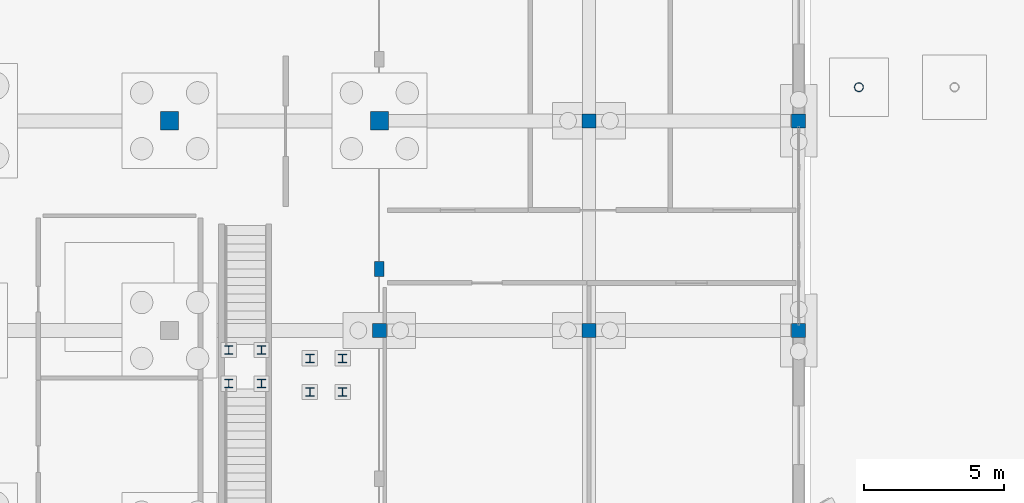
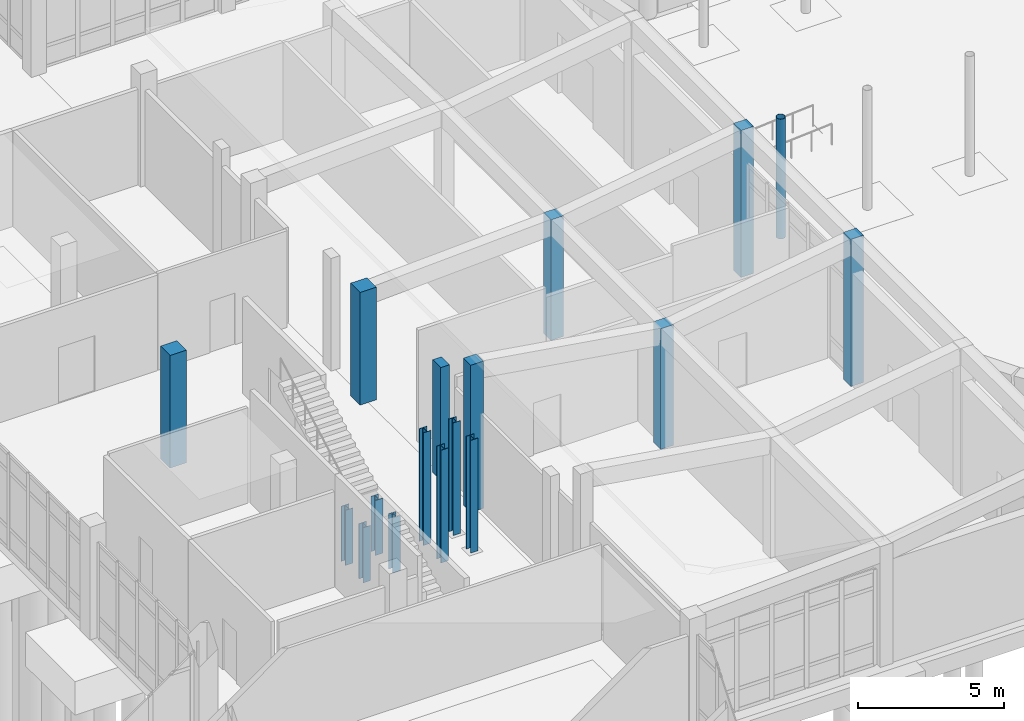
# One storey, part 8 of 173: 17 columns.
"""IFC4 building model written with IfcOpenShell, lengths in metres."""

from ifc_helpers import new_model, si_unit, direction, frame, origin, origin_2d, place, context, subcontext, project, spatial, rectangle, hollow_circle, i_section, extrude, material, material_profile, profile_set, type_object, element, save


model = new_model("IFC4")

# Units and contexts
model_context = context("Model", 3, precision=1e-05, world=origin(), true_north=direction((0.0, 1.0)))
body_context = subcontext(model_context, "Body", "Model", "MODEL_VIEW")
ifc_project = project(units=[si_unit("LENGTHUNIT", "METRE"), si_unit("AREAUNIT", "SQUARE_METRE"), si_unit("VOLUMEUNIT", "CUBIC_METRE"), si_unit("PLANEANGLEUNIT", "RADIAN"), si_unit("MASSUNIT", "GRAM", prefix="KILO")], contexts=[model_context])

# Site, building, storey
site_placement = place(None, origin())
site = spatial("IfcSite", under=ifc_project, at=site_placement, CompositionType="ELEMENT")
building_placement = place(site_placement, origin())
building = spatial("IfcBuilding", under=site, at=building_placement, Name="Mawjan Specialist Oncology Clinic", CompositionType="ELEMENT")
storey_placement = place(building_placement, origin())
storey = spatial("IfcBuildingStorey", under=building, at=storey_placement, Name="L00", CompositionType="ELEMENT", Elevation=0.0)

# Columns
ifc_material_1 = material(Name="Concrete C45/55", Category="concrete")
ifc_material_profile_1 = material_profile(ifc_material_1, rectangle(XDim=0.5, YDim=0.5, at=origin_2d()), Name="RC COL 500x500", Category="concrete")
ifc_profile_set_1 = profile_set([ifc_material_profile_1], Name="Concrete C45/55")
column_type_1 = type_object("IfcColumnType", Name="C-500", PredefinedType="COLUMN", material=ifc_profile_set_1)
column_1_placement = place(storey_placement, frame((45.0, 23.300048828125, 0.0), z_axis=(0.0, 0.0, 1.0), x_axis=(1.0, 0.0, 0.0)))
element("IfcColumn", 1, at=column_1_placement, inside=storey, type_object=column_type_1, Name="L00 Column G-7-D", PredefinedType="COLUMN", context=body_context, shape_type="SweptSolid", body=[
    extrude(rectangle(XDim=0.5, YDim=0.5, at=origin_2d()), origin(), (0.0, 0.0, 1.0), 6.1376953125),
])
for number, where, z_axis, x_axis, name in (
    (2, (52.5, 23.300048828125, 0.0), (0.0, 0.0, 1.0), (1.0, 0.0, 0.0), "L00 Column G-8-D"),
    (3, (52.5, 30.800048828125, 0.0), (0.0, 0.0, 1.0), (1.0, 0.0, 0.0), "L00 Column G-8-E"),
):
    element("IfcColumn", number, at=place(storey_placement, frame(where, z_axis=z_axis, x_axis=x_axis)), inside=storey, type_object=column_type_1, Name=name, PredefinedType="COLUMN", context=body_context, shape_type="SweptSolid", body=[
        extrude(rectangle(XDim=0.5, YDim=0.5, at=origin_2d()), origin(), (0.0, 0.0, 1.0), 5.035888671875),
    ])
for number, where, z_axis, x_axis, name in (
    (4, (60.0, 23.300048828125, 0.0), (0.0, 0.0, 1.0), (1.0, 0.0, 0.0), "L00 Column G-9-D"),
    (5, (60.0, 30.800048828125, 0.0), (0.0, 0.0, 1.0), (1.0, 0.0, 0.0), "L00 Column G-9-E"),
):
    element("IfcColumn", number, at=place(storey_placement, frame(where, z_axis=z_axis, x_axis=x_axis)), inside=storey, type_object=column_type_1, Name=name, PredefinedType="COLUMN", context=body_context, shape_type="SweptSolid", body=[
        extrude(rectangle(XDim=0.5, YDim=0.5, at=origin_2d()), origin(), (0.0, 0.0, 1.0), 6.1376953125),
    ])
ifc_material_2 = material(Name="Concrete C45/55", Category="concrete")
ifc_material_profile_2 = material_profile(ifc_material_2, rectangle(XDim=0.64990234375, YDim=0.64990234375, at=origin_2d()), Name="RC COL 650x650", Category="concrete")
ifc_profile_set_2 = profile_set([ifc_material_profile_2], Name="Concrete C45/55")
column_type_2 = type_object("IfcColumnType", Name="C-650", PredefinedType="COLUMN", material=ifc_profile_set_2)
for number, where, z_axis, x_axis, name in (
    (6, (37.5, 30.800048828125, 0.0), (0.0, 0.0, 1.0), (1.0, 0.0, 0.0), "L00 Column G-6-E"),
    (7, (45.0, 30.800048828125, 0.0), (0.0, 0.0, 1.0), (1.0, 0.0, 0.0), "L00 Column G-7-E"),
):
    element("IfcColumn", number, at=place(storey_placement, frame(where, z_axis=z_axis, x_axis=x_axis)), inside=storey, type_object=column_type_2, Name=name, PredefinedType="COLUMN", context=body_context, shape_type="SweptSolid", body=[
        extrude(rectangle(XDim=0.64990234375, YDim=0.64990234375, at=origin_2d()), origin(), (0.0, 0.0, 1.0), 4.699951171875),
    ])
ifc_material_3 = material(Name="Concrete C45/55", Category="concrete")
ifc_material_profile_3 = material_profile(ifc_material_3, rectangle(XDim=0.35009765625, YDim=0.550048828125, at=origin_2d()), Name="RC PIL 350x550", Category="concrete")
ifc_profile_set_3 = profile_set([ifc_material_profile_3], Name="Concrete C45/55")
column_type_3 = type_object("IfcColumnType", Name="PIL-350", PredefinedType="PILASTER", material=ifc_profile_set_3)
column_2_placement = place(storey_placement, frame((45.0, 25.5, 0.0), z_axis=(0.0, 0.0, 1.0), x_axis=(1.0, 0.0, 0.0)))
element("IfcColumn", 8, at=column_2_placement, inside=storey, type_object=column_type_3, Name="L00 Architectural Structural Pilaster 7", PredefinedType="PILASTER", context=body_context, shape_type="SweptSolid", body=[
    extrude(rectangle(XDim=0.35009765625, YDim=0.550048828125, at=origin_2d()), origin(), (0.0, 0.0, 1.0), 4.699951171875),
])
ifc_material_4 = material(Name="Structural steel S355", Category="steel")
ifc_material_profile_4 = material_profile(ifc_material_4, hollow_circle(Radius=0.161865234375, WallThickness=0.011962890625, at=origin_2d()), Name="CHS 323.9x12", Category="steel")
ifc_profile_set_4 = profile_set([ifc_material_profile_4], Name="Structural steel S355")
column_type_4 = type_object("IfcColumnType", Name="SC-CHS324", PredefinedType="COLUMN", material=ifc_profile_set_4)
column_3_placement = place(storey_placement, frame((62.152587890625, 32.0, 0.0), z_axis=(0.0, 0.0, 1.0), x_axis=(1.0, 0.0, 0.0)))
element("IfcColumn", 9, at=column_3_placement, inside=storey, type_object=column_type_4, Name="Courtyard Canopy Column 1 L00", PredefinedType="COLUMN", context=body_context, shape_type="SweptSolid", body=[
    extrude(hollow_circle(Radius=0.161865234375, WallThickness=0.011962890625, at=origin_2d()), origin(), (0.0, 0.0, 1.0), 5.0),
])
ifc_material_5 = material(Name="Structural steel S355", Category="steel")
ifc_material_profile_5 = material_profile(ifc_material_5, i_section(OverallWidth=0.300048828125, OverallDepth=0.300048828125, WebThickness=0.010986328125, FlangeThickness=0.01904296875, FilletRadius=0.027099609375, at=origin_2d()), Name="HEB 300", Category="steel")
ifc_profile_set_5 = profile_set([ifc_material_profile_5], Name="Structural steel S355")
column_type_5 = type_object("IfcColumnType", Name="SC-HEB300", PredefinedType="COLUMN", material=ifc_profile_set_5)
for number, where, z_axis, x_axis, name in (
    (10, (39.614990234375, 21.39990234375, 0.0), (0.0, 0.0, 1.0), (1.0, 0.0, 0.0), "ST-10 Landing Support Post 1"),
    (11, (40.784912109375, 21.39990234375, 0.0), (0.0, 0.0, 1.0), (1.0, 0.0, 0.0), "ST-10 Landing Support Post 2"),
    (12, (40.784912109375, 22.60009765625, 0.0), (0.0, 0.0, 1.0), (1.0, 0.0, 0.0), "ST-10 Landing Support Post 3"),
    (13, (39.614990234375, 22.60009765625, 0.0), (0.0, 0.0, 1.0), (1.0, 0.0, 0.0), "ST-10 Landing Support Post 4"),
):
    element("IfcColumn", number, at=place(storey_placement, frame(where, z_axis=z_axis, x_axis=x_axis)), inside=storey, type_object=column_type_5, Name=name, PredefinedType="COLUMN", context=body_context, shape_type="SweptSolid", body=[
        extrude(i_section(OverallWidth=0.300048828125, OverallDepth=0.300048828125, WebThickness=0.010986328125, FlangeThickness=0.01904296875, FilletRadius=0.027099609375, at=origin_2d()), origin(), (0.0, 0.0, 1.0), 2.300048828125),
    ])
for number, where, z_axis, x_axis, name in (
    (14, (42.514892578125, 21.10009765625, 0.0), (0.0, 0.0, 1.0), (1.0, 0.0, 0.0), "ST-11 L00 Support Post 1"),
    (15, (43.68505859375, 21.10009765625, 0.0), (0.0, 0.0, 1.0), (1.0, 0.0, 0.0), "ST-11 L00 Support Post 2"),
    (16, (43.68505859375, 22.300048828125, 0.0), (0.0, 0.0, 1.0), (1.0, 0.0, 0.0), "ST-11 L00 Support Post 3"),
    (17, (42.514892578125, 22.300048828125, 0.0), (0.0, 0.0, 1.0), (1.0, 0.0, 0.0), "ST-11 L00 Support Post 4"),
):
    element("IfcColumn", number, at=place(storey_placement, frame(where, z_axis=z_axis, x_axis=x_axis)), inside=storey, type_object=column_type_5, Name=name, PredefinedType="COLUMN", context=body_context, shape_type="SweptSolid", body=[
        extrude(i_section(OverallWidth=0.300048828125, OverallDepth=0.300048828125, WebThickness=0.010986328125, FlangeThickness=0.01904296875, FilletRadius=0.027099609375, at=origin_2d()), origin(), (0.0, 0.0, 1.0), 4.699951171875),
    ])

save(model, "model.ifc")
